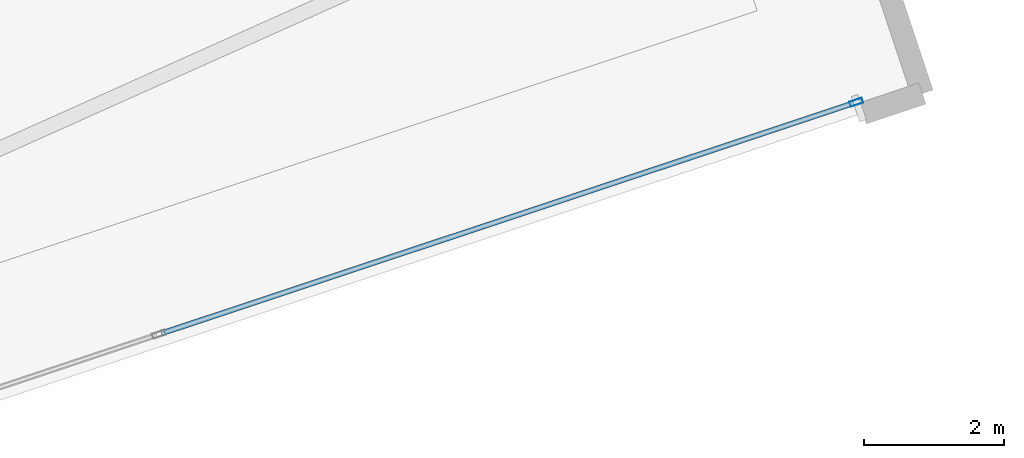
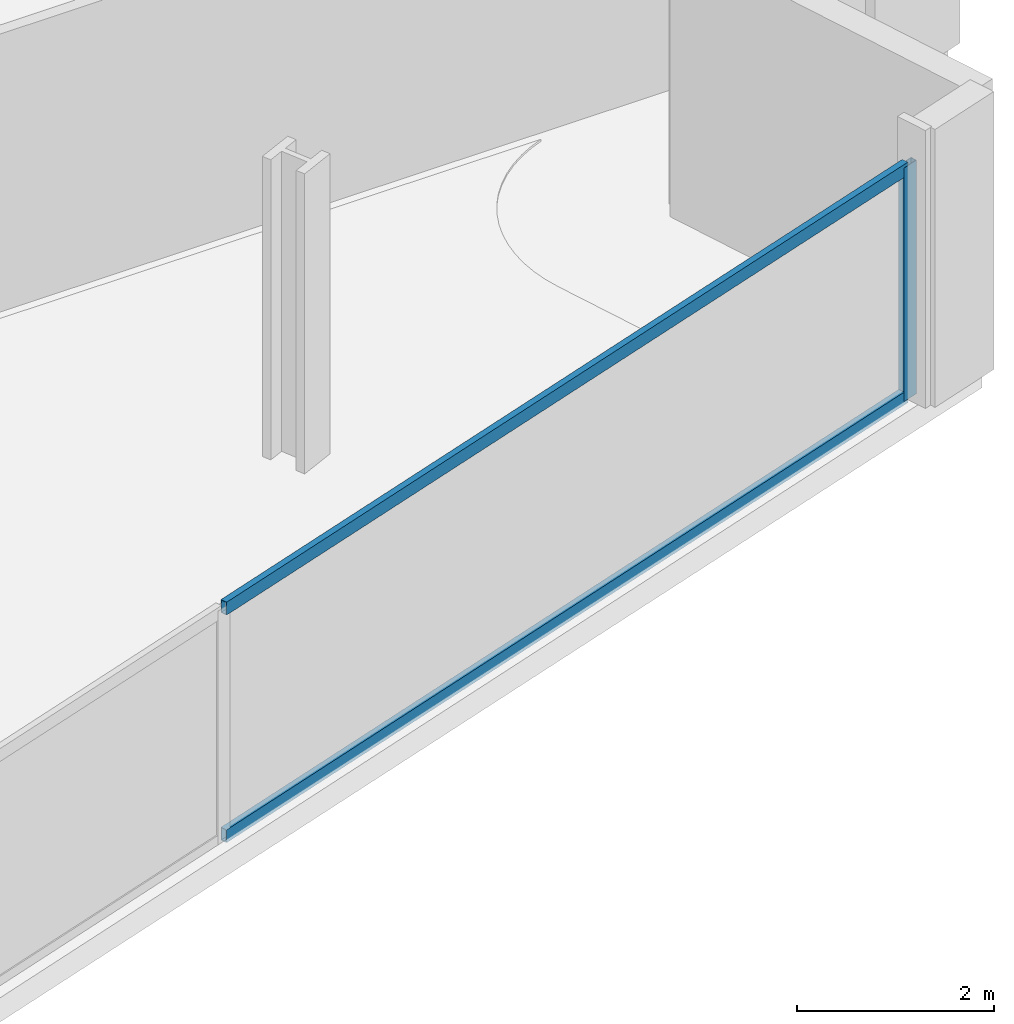
# One storey, part 10 of 34: 3 members, 1 element without a shape of its own.
"""IFC4 building model written with IfcOpenShell, lengths in metres."""

from ifc_helpers import new_model, si_unit, direction, frame, origin, origin_2d, place, context, subcontext, project, spatial, hollow_rectangle, extrude, material, material_profile, profile_set, type_object, element, aggregate, save


model = new_model("IFC4")

# Units and contexts
model_context = context("Model", 3, precision=1e-05, world=origin(), true_north=direction((0.0, 1.0)))
body_context = subcontext(model_context, "Body", "Model", "MODEL_VIEW")
ifc_project = project(units=[si_unit("LENGTHUNIT", "METRE"), si_unit("AREAUNIT", "SQUARE_METRE"), si_unit("VOLUMEUNIT", "CUBIC_METRE"), si_unit("PLANEANGLEUNIT", "RADIAN"), si_unit("MASSUNIT", "GRAM", prefix="KILO")], contexts=[model_context])

# Site, building, storey
site_placement = place(None, origin())
site = spatial("IfcSite", under=ifc_project, at=site_placement, CompositionType="ELEMENT")
building_placement = place(site_placement, origin())
building = spatial("IfcBuilding", under=site, at=building_placement, Name="Haldenkirk Collegiate Tower", CompositionType="ELEMENT")
storey_placement = place(building_placement, frame((0.0, 0.0, 90.449951171875)))
storey = spatial("IfcBuildingStorey", under=building, at=storey_placement, Name="L21", CompositionType="ELEMENT", Elevation=90.449951171875)

# Curtain wall, members
ifc_material = material(Name="Anodised architectural bronze aluminium", Category="aluminium")
curtain_wall_type = type_object("IfcCurtainWallType", Name="CW-SYS2-CONCAVE", PredefinedType="USERDEFINED", material=ifc_material)
curtain_wall_placement = place(storey_placement, origin())
curtain_wall = element("IfcCurtainWall", 1, at=curtain_wall_placement, inside=storey, type_object=curtain_wall_type, Name="L21 South concave recessed bronze-anodised curtain wall", ObjectType="UNITISED CURTAIN WALL", PredefinedType="USERDEFINED")
ifc_material_profile_1 = material_profile(ifc_material, hollow_rectangle(XDim=0.074951171875, YDim=0.18994140625, WallThickness=0.0048828125, at=origin_2d()), Name="CW-MUL-02")
ifc_profile_set_1 = profile_set([ifc_material_profile_1], Name="Anodised architectural bronze aluminium")
member_type_1 = type_object("IfcMemberType", Name="CW-MUL-02", PredefinedType="MULLION", material=ifc_profile_set_1)
member_1_placement = place(storey_placement, frame((63.662353515625, 9.57177734375, 0.0), z_axis=(0.0, 0.0, 1.0), x_axis=(0.315646901106, -0.948876722142, 0.0)))
member_1 = element("IfcMember", 2, at=member_1_placement, type_object=member_type_1, Name="CW-02 mullion 1", PredefinedType="MULLION", context=body_context, shape_type="SweptSolid", body=[
    extrude(hollow_rectangle(XDim=0.074951171875, YDim=0.18994140625, WallThickness=0.0048828125, at=origin_2d()), origin(), (0.0, 0.0, 1.0), 2.901123046875),
])
ifc_material_profile_2 = material_profile(ifc_material, hollow_rectangle(XDim=0.074951171875, YDim=0.159912109375, WallThickness=0.0048828125, at=origin_2d()), Name="CW-TRN-02")
ifc_profile_set_2 = profile_set([ifc_material_profile_2], Name="Anodised architectural bronze aluminium")
member_type_2 = type_object("IfcMemberType", Name="CW-TRN-02", PredefinedType="USERDEFINED", material=ifc_profile_set_2)
member_2_placement = place(storey_placement, frame((63.626708984375, 9.559814453125, 0.03759765625), z_axis=(-0.948879599386, -0.315638251593, 0.0), x_axis=(0.315638251593, -0.948879599386, 0.0)))
member_2 = element("IfcMember", 3, at=member_2_placement, type_object=member_type_2, Name="CW-02 transom 1.1", ObjectType="TRANSOM", PredefinedType="USERDEFINED", context=body_context, shape_type="SweptSolid", body=[
    extrude(hollow_rectangle(XDim=0.074951171875, YDim=0.159912109375, WallThickness=0.0048828125, at=origin_2d()), origin(), (0.0, 0.0, 1.0), 10.437255859375),
])
member_3_placement = place(storey_placement, frame((63.626708984375, 9.559814453125, 2.863525390625), z_axis=(-0.948879599386, -0.315638251593, 0.0), x_axis=(0.315638251593, -0.948879599386, 0.0)))
member_3 = element("IfcMember", 4, at=member_3_placement, type_object=member_type_2, Name="CW-02 transom 1.2", ObjectType="TRANSOM", PredefinedType="USERDEFINED", context=body_context, shape_type="SweptSolid", body=[
    extrude(hollow_rectangle(XDim=0.074951171875, YDim=0.159912109375, WallThickness=0.0048828125, at=origin_2d()), origin(), (0.0, 0.0, 1.0), 10.437255859375),
])
aggregate(curtain_wall, [member_1, member_2, member_3])

save(model, "model.ifc")
